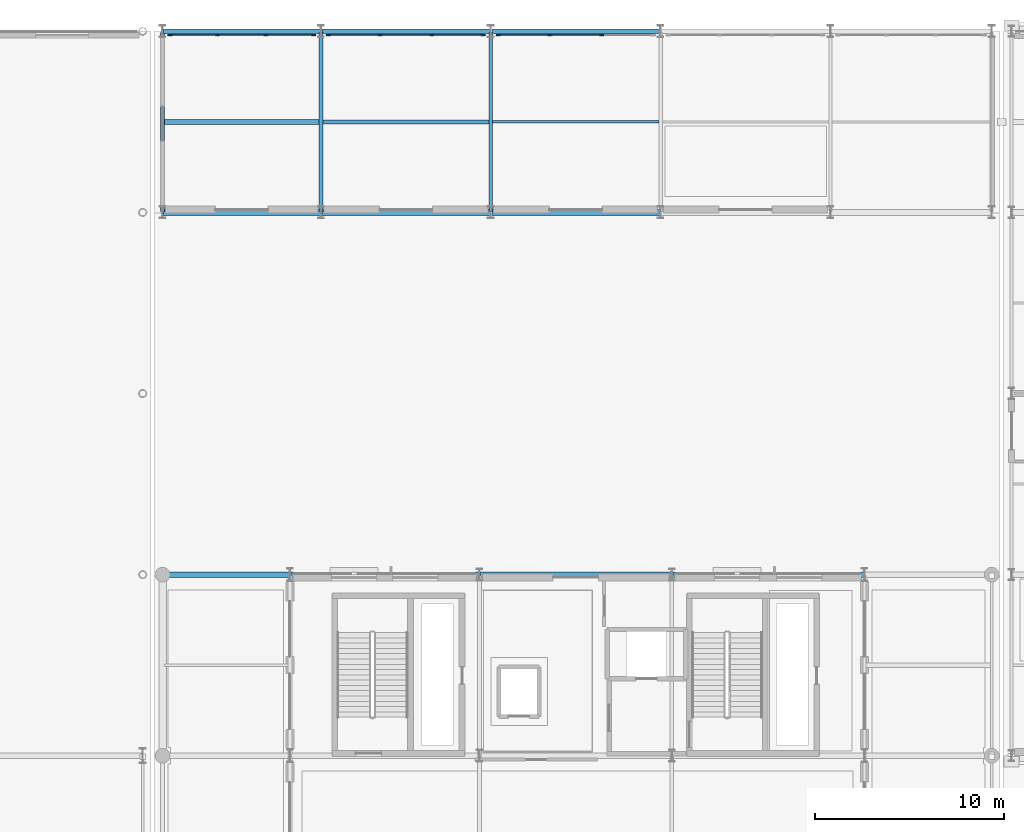
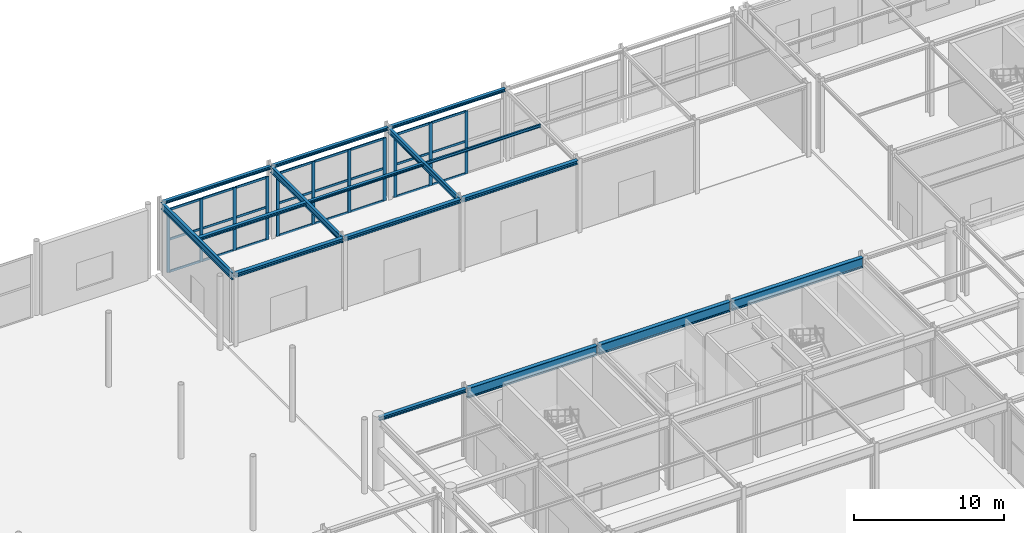
# One storey, part 43 of 113: 35 members, 16 beams, 3 elements without a shape of their own.
"""IFC4 building model written with IfcOpenShell, lengths in metres."""

from ifc_helpers import new_model, si_unit, direction, frame, origin, origin_2d, place, context, subcontext, project, spatial, rectangle, i_section, extrude, material, layer, layer_set, material_profile, profile_set, type_object, element, aggregate, save


model = new_model("IFC4")

# Units and contexts
model_context = context("Model", 3, precision=1e-05, world=origin(), true_north=direction((0.0, 1.0)))
body_context = subcontext(model_context, "Body", "Model", "MODEL_VIEW")
ifc_project = project(units=[si_unit("LENGTHUNIT", "METRE"), si_unit("AREAUNIT", "SQUARE_METRE"), si_unit("VOLUMEUNIT", "CUBIC_METRE"), si_unit("PLANEANGLEUNIT", "RADIAN"), si_unit("MASSUNIT", "GRAM", prefix="KILO")], contexts=[model_context])

# Site, building, storey
site_placement = place(None, origin())
site = spatial("IfcSite", under=ifc_project, at=site_placement, CompositionType="ELEMENT")
building_placement = place(site_placement, origin())
building = spatial("IfcBuilding", under=site, at=building_placement, Name="Myrtia Square Station", CompositionType="ELEMENT")
storey_placement = place(building_placement, origin())
storey = spatial("IfcBuildingStorey", under=building, at=storey_placement, Name="L00", CompositionType="ELEMENT", Elevation=0.0)

# Beams
ifc_material_1 = material(Name="Steel S355", Category="steel")
ifc_material_profile_1 = material_profile(ifc_material_1, i_section(OverallWidth=0.300048828125, OverallDepth=0.300048828125, WebThickness=0.010986328125, FlangeThickness=0.01904296875, FilletRadius=0.027099609375, at=origin_2d()), Name="HEB 300")
ifc_profile_set_1 = profile_set([ifc_material_profile_1], Name="Steel S355")
beam_type_1 = type_object("IfcBeamType", Name="BM-HEB300", PredefinedType="BEAM", material=ifc_profile_set_1)
beam_1_placement = place(storey_placement, frame((72.64990234375, 115.199951171875, 5.60498046875), z_axis=(1.0, 0.0, 0.0), x_axis=(0.0, 1.0, 0.0)))
element("IfcBeam", 1, at=beam_1_placement, inside=storey, type_object=beam_type_1, Name="Structural girder BMX-L00-0406", PredefinedType="BEAM", context=body_context, shape_type="SweptSolid", body=[
    extrude(i_section(OverallWidth=0.300048828125, OverallDepth=0.300048828125, WebThickness=0.010986328125, FlangeThickness=0.01904296875, FilletRadius=0.027099609375, at=origin_2d()), origin(), (0.0, 0.0, 1.0), 8.300048828125),
])
for number, where, z_axis, x_axis, name in (
    (2, (81.050048828125, 115.199951171875, 5.60498046875), (1.0, 0.0, 0.0), (0.0, 1.0, 0.0), "Structural girder BMX-L00-0407"),
    (3, (90.050048828125, 115.199951171875, 5.60498046875), (1.0, 0.0, 0.0), (0.0, 1.0, 0.0), "Structural girder BMX-L00-0408"),
):
    element("IfcBeam", number, at=place(storey_placement, frame(where, z_axis=z_axis, x_axis=x_axis)), inside=storey, type_object=beam_type_1, Name=name, PredefinedType="BEAM", context=body_context, shape_type="SweptSolid", body=[
        extrude(i_section(OverallWidth=0.300048828125, OverallDepth=0.300048828125, WebThickness=0.010986328125, FlangeThickness=0.01904296875, FilletRadius=0.027099609375, at=origin_2d()), origin(), (0.0, 0.0, 1.0), 8.89990234375),
    ])
ifc_material_profile_2 = material_profile(ifc_material_1, i_section(OverallWidth=0.18994140625, OverallDepth=0.449951171875, WebThickness=0.009521484375, FlangeThickness=0.0146484375, FilletRadius=0.02099609375, at=origin_2d()), Name="IPE 450")
ifc_profile_set_2 = profile_set([ifc_material_profile_2], Name="Steel S355")
beam_type_2 = type_object("IfcBeamType", Name="BM-IPE450", PredefinedType="BEAM", material=ifc_profile_set_2)
beam_2_placement = place(storey_placement, frame((90.0, 115.25, 5.530029296875), z_axis=(0.0, 1.0, 0.0), x_axis=(-1.0, 0.0, 0.0)))
element("IfcBeam", 4, at=beam_2_placement, inside=storey, type_object=beam_type_2, Name="Structural girder BMY-L00-0421", PredefinedType="BEAM", context=body_context, shape_type="SweptSolid", body=[
    extrude(i_section(OverallWidth=0.18994140625, OverallDepth=0.449951171875, WebThickness=0.009521484375, FlangeThickness=0.0146484375, FilletRadius=0.02099609375, at=origin_2d()), origin(), (0.0, 0.0, 1.0), 9.5),
])
ifc_material_profile_3 = material_profile(ifc_material_1, i_section(OverallWidth=0.199951171875, OverallDepth=0.5, WebThickness=0.01025390625, FlangeThickness=0.01611328125, FilletRadius=0.02099609375, at=origin_2d()), Name="IPE 500")
ifc_profile_set_3 = profile_set([ifc_material_profile_3], Name="Steel S355")
beam_type_3 = type_object("IfcBeamType", Name="BM-IPE500", PredefinedType="BEAM", material=ifc_profile_set_3)
beam_3_placement = place(storey_placement, frame((81.0, 115.25, 5.5048828125), z_axis=(0.0, 1.0, 0.0), x_axis=(-1.0, 0.0, 0.0)))
element("IfcBeam", 5, at=beam_3_placement, inside=storey, type_object=beam_type_3, Name="Structural girder BMY-L00-0420", PredefinedType="BEAM", context=body_context, shape_type="SweptSolid", body=[
    extrude(i_section(OverallWidth=0.199951171875, OverallDepth=0.5, WebThickness=0.01025390625, FlangeThickness=0.01611328125, FilletRadius=0.02099609375, at=origin_2d()), origin(), (0.0, 0.0, 1.0), 9.5),
])
ifc_material_profile_4 = material_profile(ifc_material_1, i_section(OverallWidth=0.2099609375, OverallDepth=0.550048828125, WebThickness=0.010986328125, FlangeThickness=0.01708984375, FilletRadius=0.02392578125, at=origin_2d()), Name="IPE 550")
ifc_profile_set_4 = profile_set([ifc_material_profile_4], Name="Steel S355")
beam_type_4 = type_object("IfcBeamType", Name="BM-IPE550", PredefinedType="BEAM", material=ifc_profile_set_4)
beam_4_placement = place(storey_placement, frame((72.60009765625, 115.25, 5.47998046875), z_axis=(0.0, 1.0, 0.0), x_axis=(-1.0, 0.0, 0.0)))
element("IfcBeam", 6, at=beam_4_placement, inside=storey, type_object=beam_type_4, Name="Structural girder BMY-L00-0419", PredefinedType="BEAM", context=body_context, shape_type="SweptSolid", body=[
    extrude(i_section(OverallWidth=0.2099609375, OverallDepth=0.550048828125, WebThickness=0.010986328125, FlangeThickness=0.01708984375, FilletRadius=0.02392578125, at=origin_2d()), origin(), (0.0, 0.0, 1.0), 9.5),
])

# Curtain wall, members
ifc_material_2 = material(Name="Dark bronze anodised aluminium", Category="aluminium")
ifc_layer_1 = layer(ifc_material_2, 0.159912109375, Name="Dark bronze anodised aluminium")
ifc_layer_set_1 = layer_set([ifc_layer_1], Name="Dark bronze anodised aluminium")
curtain_wall_type_1 = type_object("IfcCurtainWallType", Name="CW-TYPE-30-766x510", PredefinedType="USERDEFINED", material=ifc_layer_set_1)
curtain_wall_1_placement = place(storey_placement, origin())
curtain_wall_1 = element("IfcCurtainWall", 7, at=curtain_wall_1_placement, inside=storey, type_object=curtain_wall_type_1, Name="Concourse curtain wall CW-L00-103", ObjectType="CONCOURSE CURTAIN WALL", PredefinedType="USERDEFINED")
ifc_material_profile_5 = material_profile(ifc_material_2, rectangle(XDim=0.074951171875, YDim=0.239990234375, at=origin_2d()), Name="ALU-M 75x240")
ifc_profile_set_5 = profile_set([ifc_material_profile_5], Name="Dark bronze anodised aluminium")
member_type_1 = type_object("IfcMemberType", Name="CWM-75x240", PredefinedType="MULLION", material=ifc_profile_set_5)
member_1_placement = place(storey_placement, frame((73.007568359375, 124.60009765625, 0.0), z_axis=(0.0, 0.0, 1.0), x_axis=(0.0, 1.0, 0.0)))
member_1 = element("IfcMember", 8, at=member_1_placement, type_object=member_type_1, Name="CW-103 mullion 1", PredefinedType="MULLION", context=body_context, shape_type="SweptSolid", body=[
    extrude(rectangle(XDim=0.074951171875, YDim=0.239990234375, at=origin_2d()), origin(), (0.0, 0.0, 1.0), 5.10009765625),
])
member_2_placement = place(storey_placement, frame((75.5234375, 124.60009765625, 0.0), z_axis=(0.0, 0.0, 1.0), x_axis=(0.0, 1.0, 0.0)))
member_2 = element("IfcMember", 9, at=member_2_placement, type_object=member_type_1, Name="CW-103 mullion 2", PredefinedType="MULLION", context=body_context, shape_type="SweptSolid", body=[
    extrude(rectangle(XDim=0.074951171875, YDim=0.239990234375, at=origin_2d()), origin(), (0.0, 0.0, 1.0), 5.10009765625),
])
member_3_placement = place(storey_placement, frame((78.07666015625, 124.60009765625, 0.0), z_axis=(0.0, 0.0, 1.0), x_axis=(0.0, 1.0, 0.0)))
member_3 = element("IfcMember", 10, at=member_3_placement, type_object=member_type_1, Name="CW-103 mullion 3", PredefinedType="MULLION", context=body_context, shape_type="SweptSolid", body=[
    extrude(rectangle(XDim=0.074951171875, YDim=0.239990234375, at=origin_2d()), origin(), (0.0, 0.0, 1.0), 5.10009765625),
])
member_4_placement = place(storey_placement, frame((80.592529296875, 124.60009765625, 0.0), z_axis=(0.0, 0.0, 1.0), x_axis=(0.0, 1.0, 0.0)))
member_4 = element("IfcMember", 11, at=member_4_placement, type_object=member_type_1, Name="CW-103 mullion 4", PredefinedType="MULLION", context=body_context, shape_type="SweptSolid", body=[
    extrude(rectangle(XDim=0.074951171875, YDim=0.239990234375, at=origin_2d()), origin(), (0.0, 0.0, 1.0), 5.10009765625),
])

ifc_layer_2 = layer(ifc_material_2, 0.159912109375, Name="Dark bronze anodised aluminium")
ifc_layer_set_2 = layer_set([ifc_layer_2], Name="Dark bronze anodised aluminium")
curtain_wall_type_2 = type_object("IfcCurtainWallType", Name="CW-TYPE-33-826x510", PredefinedType="USERDEFINED", material=ifc_layer_set_2)
curtain_wall_2_placement = place(storey_placement, origin())
curtain_wall_2 = element("IfcCurtainWall", 12, at=curtain_wall_2_placement, inside=storey, type_object=curtain_wall_type_2, Name="Concourse curtain wall CW-L00-106", ObjectType="CONCOURSE CURTAIN WALL", PredefinedType="USERDEFINED")
member_5_placement = place(storey_placement, frame((81.407470703125, 124.60009765625, 0.0), z_axis=(0.0, 0.0, 1.0), x_axis=(0.0, 1.0, 0.0)))
member_5 = element("IfcMember", 13, at=member_5_placement, type_object=member_type_1, Name="CW-106 mullion 1", PredefinedType="MULLION", context=body_context, shape_type="SweptSolid", body=[
    extrude(rectangle(XDim=0.074951171875, YDim=0.239990234375, at=origin_2d()), origin(), (0.0, 0.0, 1.0), 5.10009765625),
])
member_6_placement = place(storey_placement, frame((84.123291015625, 124.60009765625, 0.0), z_axis=(0.0, 0.0, 1.0), x_axis=(0.0, 1.0, 0.0)))
member_6 = element("IfcMember", 14, at=member_6_placement, type_object=member_type_1, Name="CW-106 mullion 2", PredefinedType="MULLION", context=body_context, shape_type="SweptSolid", body=[
    extrude(rectangle(XDim=0.074951171875, YDim=0.239990234375, at=origin_2d()), origin(), (0.0, 0.0, 1.0), 5.10009765625),
])
member_7_placement = place(storey_placement, frame((86.876708984375, 124.60009765625, 0.0), z_axis=(0.0, 0.0, 1.0), x_axis=(0.0, 1.0, 0.0)))
member_7 = element("IfcMember", 15, at=member_7_placement, type_object=member_type_1, Name="CW-106 mullion 3", PredefinedType="MULLION", context=body_context, shape_type="SweptSolid", body=[
    extrude(rectangle(XDim=0.074951171875, YDim=0.239990234375, at=origin_2d()), origin(), (0.0, 0.0, 1.0), 5.10009765625),
])
member_8_placement = place(storey_placement, frame((89.592529296875, 124.60009765625, 0.0), z_axis=(0.0, 0.0, 1.0), x_axis=(0.0, 1.0, 0.0)))
member_8 = element("IfcMember", 16, at=member_8_placement, type_object=member_type_1, Name="CW-106 mullion 4", PredefinedType="MULLION", context=body_context, shape_type="SweptSolid", body=[
    extrude(rectangle(XDim=0.074951171875, YDim=0.239990234375, at=origin_2d()), origin(), (0.0, 0.0, 1.0), 5.10009765625),
])

curtain_wall_3_placement = place(storey_placement, origin())
curtain_wall_3 = element("IfcCurtainWall", 17, at=curtain_wall_3_placement, inside=storey, type_object=curtain_wall_type_2, Name="Concourse curtain wall CW-L00-108", ObjectType="CONCOURSE CURTAIN WALL", PredefinedType="USERDEFINED")
member_9_placement = place(storey_placement, frame((90.407470703125, 124.60009765625, 0.0), z_axis=(0.0, 0.0, 1.0), x_axis=(0.0, 1.0, 0.0)))
member_9 = element("IfcMember", 18, at=member_9_placement, type_object=member_type_1, Name="CW-108 mullion 1", PredefinedType="MULLION", context=body_context, shape_type="SweptSolid", body=[
    extrude(rectangle(XDim=0.074951171875, YDim=0.239990234375, at=origin_2d()), origin(), (0.0, 0.0, 1.0), 5.10009765625),
])
member_10_placement = place(storey_placement, frame((93.123291015625, 124.60009765625, 0.0), z_axis=(0.0, 0.0, 1.0), x_axis=(0.0, 1.0, 0.0)))
member_10 = element("IfcMember", 19, at=member_10_placement, type_object=member_type_1, Name="CW-108 mullion 2", PredefinedType="MULLION", context=body_context, shape_type="SweptSolid", body=[
    extrude(rectangle(XDim=0.074951171875, YDim=0.239990234375, at=origin_2d()), origin(), (0.0, 0.0, 1.0), 5.10009765625),
])
member_11_placement = place(storey_placement, frame((95.876708984375, 124.60009765625, 0.0), z_axis=(0.0, 0.0, 1.0), x_axis=(0.0, 1.0, 0.0)))
member_11 = element("IfcMember", 20, at=member_11_placement, type_object=member_type_1, Name="CW-108 mullion 3", PredefinedType="MULLION", context=body_context, shape_type="SweptSolid", body=[
    extrude(rectangle(XDim=0.074951171875, YDim=0.239990234375, at=origin_2d()), origin(), (0.0, 0.0, 1.0), 5.10009765625),
])

# Member
ifc_material_profile_6 = material_profile(ifc_material_2, rectangle(XDim=0.074951171875, YDim=0.179931640625, at=origin_2d()), Name="ALU-T 75x180")
ifc_profile_set_6 = profile_set([ifc_material_profile_6], Name="Dark bronze anodised aluminium")
member_type_2 = type_object("IfcMemberType", Name="CWT-75x180", PredefinedType="USERDEFINED", material=ifc_profile_set_6)
member_12_placement = place(storey_placement, frame((73.044921875, 124.60009765625, 0.03759765625), z_axis=(1.0, 0.0, 0.0), x_axis=(0.0, 1.0, 0.0)))
member_12 = element("IfcMember", 21, at=member_12_placement, type_object=member_type_2, Name="CW-103 transom 1.1", ObjectType="TRANSOM", PredefinedType="USERDEFINED", context=body_context, shape_type="SweptSolid", body=[
    extrude(rectangle(XDim=0.074951171875, YDim=0.179931640625, at=origin_2d()), origin(), (0.0, 0.0, 1.0), 2.44091796875),
])

member_13_placement = place(storey_placement, frame((73.044921875, 124.60009765625, 2.652099609375), z_axis=(1.0, 0.0, 0.0), x_axis=(0.0, 1.0, 0.0)))
member_13 = element("IfcMember", 22, at=member_13_placement, type_object=member_type_2, Name="CW-103 transom 1.2", ObjectType="TRANSOM", PredefinedType="USERDEFINED", context=body_context, shape_type="SweptSolid", body=[
    extrude(rectangle(XDim=0.074951171875, YDim=0.179931640625, at=origin_2d()), origin(), (0.0, 0.0, 1.0), 2.44091796875),
])

member_14_placement = place(storey_placement, frame((73.044921875, 124.60009765625, 5.0625), z_axis=(1.0, 0.0, 0.0), x_axis=(0.0, 1.0, 0.0)))
member_14 = element("IfcMember", 23, at=member_14_placement, type_object=member_type_2, Name="CW-103 transom 1.3", ObjectType="TRANSOM", PredefinedType="USERDEFINED", context=body_context, shape_type="SweptSolid", body=[
    extrude(rectangle(XDim=0.074951171875, YDim=0.179931640625, at=origin_2d()), origin(), (0.0, 0.0, 1.0), 2.44091796875),
])

member_15_placement = place(storey_placement, frame((75.560791015625, 124.60009765625, 0.03759765625), z_axis=(1.0, 0.0, 0.0), x_axis=(0.0, 1.0, 0.0)))
member_15 = element("IfcMember", 24, at=member_15_placement, type_object=member_type_2, Name="CW-103 transom 2.1", ObjectType="TRANSOM", PredefinedType="USERDEFINED", context=body_context, shape_type="SweptSolid", body=[
    extrude(rectangle(XDim=0.074951171875, YDim=0.179931640625, at=origin_2d()), origin(), (0.0, 0.0, 1.0), 2.478271484375),
])

member_16_placement = place(storey_placement, frame((75.560791015625, 124.60009765625, 2.652099609375), z_axis=(1.0, 0.0, 0.0), x_axis=(0.0, 1.0, 0.0)))
member_16 = element("IfcMember", 25, at=member_16_placement, type_object=member_type_2, Name="CW-103 transom 2.2", ObjectType="TRANSOM", PredefinedType="USERDEFINED", context=body_context, shape_type="SweptSolid", body=[
    extrude(rectangle(XDim=0.074951171875, YDim=0.179931640625, at=origin_2d()), origin(), (0.0, 0.0, 1.0), 2.478271484375),
])

member_17_placement = place(storey_placement, frame((75.560791015625, 124.60009765625, 5.0625), z_axis=(1.0, 0.0, 0.0), x_axis=(0.0, 1.0, 0.0)))
member_17 = element("IfcMember", 26, at=member_17_placement, type_object=member_type_2, Name="CW-103 transom 2.3", ObjectType="TRANSOM", PredefinedType="USERDEFINED", context=body_context, shape_type="SweptSolid", body=[
    extrude(rectangle(XDim=0.074951171875, YDim=0.179931640625, at=origin_2d()), origin(), (0.0, 0.0, 1.0), 2.478271484375),
])

member_18_placement = place(storey_placement, frame((78.1142578125, 124.60009765625, 0.03759765625), z_axis=(1.0, 0.0, 0.0), x_axis=(0.0, 1.0, 0.0)))
member_18 = element("IfcMember", 27, at=member_18_placement, type_object=member_type_2, Name="CW-103 transom 3.1", ObjectType="TRANSOM", PredefinedType="USERDEFINED", context=body_context, shape_type="SweptSolid", body=[
    extrude(rectangle(XDim=0.074951171875, YDim=0.179931640625, at=origin_2d()), origin(), (0.0, 0.0, 1.0), 2.440673828125),
])

member_19_placement = place(storey_placement, frame((78.1142578125, 124.60009765625, 2.652099609375), z_axis=(1.0, 0.0, 0.0), x_axis=(0.0, 1.0, 0.0)))
member_19 = element("IfcMember", 28, at=member_19_placement, type_object=member_type_2, Name="CW-103 transom 3.2", ObjectType="TRANSOM", PredefinedType="USERDEFINED", context=body_context, shape_type="SweptSolid", body=[
    extrude(rectangle(XDim=0.074951171875, YDim=0.179931640625, at=origin_2d()), origin(), (0.0, 0.0, 1.0), 2.440673828125),
])

member_20_placement = place(storey_placement, frame((78.1142578125, 124.60009765625, 5.0625), z_axis=(1.0, 0.0, 0.0), x_axis=(0.0, 1.0, 0.0)))
member_20 = element("IfcMember", 29, at=member_20_placement, type_object=member_type_2, Name="CW-103 transom 3.3", ObjectType="TRANSOM", PredefinedType="USERDEFINED", context=body_context, shape_type="SweptSolid", body=[
    extrude(rectangle(XDim=0.074951171875, YDim=0.179931640625, at=origin_2d()), origin(), (0.0, 0.0, 1.0), 2.440673828125),
])

aggregate(curtain_wall_1, [member_1, member_2, member_3, member_4, member_12, member_13, member_14, member_15, member_16, member_17, member_18, member_19, member_20])

member_21_placement = place(storey_placement, frame((81.445068359375, 124.60009765625, 0.03759765625), z_axis=(1.0, 0.0, 0.0), x_axis=(0.0, 1.0, 0.0)))
member_21 = element("IfcMember", 30, at=member_21_placement, type_object=member_type_2, Name="CW-106 transom 1.1", ObjectType="TRANSOM", PredefinedType="USERDEFINED", context=body_context, shape_type="SweptSolid", body=[
    extrude(rectangle(XDim=0.074951171875, YDim=0.179931640625, at=origin_2d()), origin(), (0.0, 0.0, 1.0), 2.640869140625),
])

member_22_placement = place(storey_placement, frame((81.445068359375, 124.60009765625, 2.652099609375), z_axis=(1.0, 0.0, 0.0), x_axis=(0.0, 1.0, 0.0)))
member_22 = element("IfcMember", 31, at=member_22_placement, type_object=member_type_2, Name="CW-106 transom 1.2", ObjectType="TRANSOM", PredefinedType="USERDEFINED", context=body_context, shape_type="SweptSolid", body=[
    extrude(rectangle(XDim=0.074951171875, YDim=0.179931640625, at=origin_2d()), origin(), (0.0, 0.0, 1.0), 2.640869140625),
])

member_23_placement = place(storey_placement, frame((81.445068359375, 124.60009765625, 5.0625), z_axis=(1.0, 0.0, 0.0), x_axis=(0.0, 1.0, 0.0)))
member_23 = element("IfcMember", 32, at=member_23_placement, type_object=member_type_2, Name="CW-106 transom 1.3", ObjectType="TRANSOM", PredefinedType="USERDEFINED", context=body_context, shape_type="SweptSolid", body=[
    extrude(rectangle(XDim=0.074951171875, YDim=0.179931640625, at=origin_2d()), origin(), (0.0, 0.0, 1.0), 2.640869140625),
])

member_24_placement = place(storey_placement, frame((84.160888671875, 124.60009765625, 0.03759765625), z_axis=(1.0, 0.0, 0.0), x_axis=(0.0, 1.0, 0.0)))
member_24 = element("IfcMember", 33, at=member_24_placement, type_object=member_type_2, Name="CW-106 transom 2.1", ObjectType="TRANSOM", PredefinedType="USERDEFINED", context=body_context, shape_type="SweptSolid", body=[
    extrude(rectangle(XDim=0.074951171875, YDim=0.179931640625, at=origin_2d()), origin(), (0.0, 0.0, 1.0), 2.67822265625),
])

member_25_placement = place(storey_placement, frame((84.160888671875, 124.60009765625, 2.652099609375), z_axis=(1.0, 0.0, 0.0), x_axis=(0.0, 1.0, 0.0)))
member_25 = element("IfcMember", 34, at=member_25_placement, type_object=member_type_2, Name="CW-106 transom 2.2", ObjectType="TRANSOM", PredefinedType="USERDEFINED", context=body_context, shape_type="SweptSolid", body=[
    extrude(rectangle(XDim=0.074951171875, YDim=0.179931640625, at=origin_2d()), origin(), (0.0, 0.0, 1.0), 2.67822265625),
])

member_26_placement = place(storey_placement, frame((84.160888671875, 124.60009765625, 5.0625), z_axis=(1.0, 0.0, 0.0), x_axis=(0.0, 1.0, 0.0)))
member_26 = element("IfcMember", 35, at=member_26_placement, type_object=member_type_2, Name="CW-106 transom 2.3", ObjectType="TRANSOM", PredefinedType="USERDEFINED", context=body_context, shape_type="SweptSolid", body=[
    extrude(rectangle(XDim=0.074951171875, YDim=0.179931640625, at=origin_2d()), origin(), (0.0, 0.0, 1.0), 2.67822265625),
])

member_27_placement = place(storey_placement, frame((86.9140625, 124.60009765625, 0.03759765625), z_axis=(1.0, 0.0, 0.0), x_axis=(0.0, 1.0, 0.0)))
member_27 = element("IfcMember", 36, at=member_27_placement, type_object=member_type_2, Name="CW-106 transom 3.1", ObjectType="TRANSOM", PredefinedType="USERDEFINED", context=body_context, shape_type="SweptSolid", body=[
    extrude(rectangle(XDim=0.074951171875, YDim=0.179931640625, at=origin_2d()), origin(), (0.0, 0.0, 1.0), 2.640869140625),
])

member_28_placement = place(storey_placement, frame((86.9140625, 124.60009765625, 2.652099609375), z_axis=(1.0, 0.0, 0.0), x_axis=(0.0, 1.0, 0.0)))
member_28 = element("IfcMember", 37, at=member_28_placement, type_object=member_type_2, Name="CW-106 transom 3.2", ObjectType="TRANSOM", PredefinedType="USERDEFINED", context=body_context, shape_type="SweptSolid", body=[
    extrude(rectangle(XDim=0.074951171875, YDim=0.179931640625, at=origin_2d()), origin(), (0.0, 0.0, 1.0), 2.640869140625),
])

member_29_placement = place(storey_placement, frame((86.9140625, 124.60009765625, 5.0625), z_axis=(1.0, 0.0, 0.0), x_axis=(0.0, 1.0, 0.0)))
member_29 = element("IfcMember", 38, at=member_29_placement, type_object=member_type_2, Name="CW-106 transom 3.3", ObjectType="TRANSOM", PredefinedType="USERDEFINED", context=body_context, shape_type="SweptSolid", body=[
    extrude(rectangle(XDim=0.074951171875, YDim=0.179931640625, at=origin_2d()), origin(), (0.0, 0.0, 1.0), 2.640869140625),
])

aggregate(curtain_wall_2, [member_5, member_6, member_7, member_8, member_21, member_22, member_23, member_24, member_25, member_26, member_27, member_28, member_29])

member_30_placement = place(storey_placement, frame((90.445068359375, 124.60009765625, 0.03759765625), z_axis=(1.0, 0.0, 0.0), x_axis=(0.0, 1.0, 0.0)))
member_30 = element("IfcMember", 39, at=member_30_placement, type_object=member_type_2, Name="CW-108 transom 1.1", ObjectType="TRANSOM", PredefinedType="USERDEFINED", context=body_context, shape_type="SweptSolid", body=[
    extrude(rectangle(XDim=0.074951171875, YDim=0.179931640625, at=origin_2d()), origin(), (0.0, 0.0, 1.0), 2.640869140625),
])

member_31_placement = place(storey_placement, frame((90.445068359375, 124.60009765625, 2.652099609375), z_axis=(1.0, 0.0, 0.0), x_axis=(0.0, 1.0, 0.0)))
member_31 = element("IfcMember", 40, at=member_31_placement, type_object=member_type_2, Name="CW-108 transom 1.2", ObjectType="TRANSOM", PredefinedType="USERDEFINED", context=body_context, shape_type="SweptSolid", body=[
    extrude(rectangle(XDim=0.074951171875, YDim=0.179931640625, at=origin_2d()), origin(), (0.0, 0.0, 1.0), 2.640869140625),
])

member_32_placement = place(storey_placement, frame((90.445068359375, 124.60009765625, 5.0625), z_axis=(1.0, 0.0, 0.0), x_axis=(0.0, 1.0, 0.0)))
member_32 = element("IfcMember", 41, at=member_32_placement, type_object=member_type_2, Name="CW-108 transom 1.3", ObjectType="TRANSOM", PredefinedType="USERDEFINED", context=body_context, shape_type="SweptSolid", body=[
    extrude(rectangle(XDim=0.074951171875, YDim=0.179931640625, at=origin_2d()), origin(), (0.0, 0.0, 1.0), 2.640869140625),
])

member_33_placement = place(storey_placement, frame((93.160888671875, 124.60009765625, 0.03759765625), z_axis=(1.0, 0.0, 0.0), x_axis=(0.0, 1.0, 0.0)))
member_33 = element("IfcMember", 42, at=member_33_placement, type_object=member_type_2, Name="CW-108 transom 2.1", ObjectType="TRANSOM", PredefinedType="USERDEFINED", context=body_context, shape_type="SweptSolid", body=[
    extrude(rectangle(XDim=0.074951171875, YDim=0.179931640625, at=origin_2d()), origin(), (0.0, 0.0, 1.0), 2.67822265625),
])

member_34_placement = place(storey_placement, frame((93.160888671875, 124.60009765625, 2.652099609375), z_axis=(1.0, 0.0, 0.0), x_axis=(0.0, 1.0, 0.0)))
member_34 = element("IfcMember", 43, at=member_34_placement, type_object=member_type_2, Name="CW-108 transom 2.2", ObjectType="TRANSOM", PredefinedType="USERDEFINED", context=body_context, shape_type="SweptSolid", body=[
    extrude(rectangle(XDim=0.074951171875, YDim=0.179931640625, at=origin_2d()), origin(), (0.0, 0.0, 1.0), 2.67822265625),
])

member_35_placement = place(storey_placement, frame((93.160888671875, 124.60009765625, 5.0625), z_axis=(1.0, 0.0, 0.0), x_axis=(0.0, 1.0, 0.0)))
member_35 = element("IfcMember", 44, at=member_35_placement, type_object=member_type_2, Name="CW-108 transom 2.3", ObjectType="TRANSOM", PredefinedType="USERDEFINED", context=body_context, shape_type="SweptSolid", body=[
    extrude(rectangle(XDim=0.074951171875, YDim=0.179931640625, at=origin_2d()), origin(), (0.0, 0.0, 1.0), 2.67822265625),
])

aggregate(curtain_wall_3, [member_9, member_10, member_11, member_30, member_31, member_32, member_33, member_34, member_35])

# Beams
ifc_material_profile_7 = material_profile(ifc_material_1, i_section(OverallWidth=0.219970703125, OverallDepth=0.2099609375, WebThickness=0.007080078125, FlangeThickness=0.010986328125, FilletRadius=0.01806640625, at=origin_2d()), Name="HEA 220")
ifc_profile_set_7 = profile_set([ifc_material_profile_7], Name="Steel S355")
beam_type_5 = type_object("IfcBeamType", Name="JST-HEA220", PredefinedType="JOIST", material=ifc_profile_set_7)
beam_5_placement = place(storey_placement, frame((81.10009765625, 120.0, 5.64990234375), z_axis=(1.0, 0.0, 0.0), x_axis=(0.0, 1.0, 0.0)))
element("IfcBeam", 45, at=beam_5_placement, inside=storey, type_object=beam_type_5, Name="Composite floor joist L00-0065", PredefinedType="JOIST", context=body_context, shape_type="SweptSolid", body=[
    extrude(i_section(OverallWidth=0.219970703125, OverallDepth=0.2099609375, WebThickness=0.007080078125, FlangeThickness=0.010986328125, FilletRadius=0.01806640625, at=origin_2d()), origin(), (0.0, 0.0, 1.0), 8.804931640625),
])
ifc_material_profile_8 = material_profile(ifc_material_1, i_section(OverallWidth=0.260009765625, OverallDepth=0.25, WebThickness=0.007568359375, FlangeThickness=0.012451171875, FilletRadius=0.02392578125, at=origin_2d()), Name="HEA 260")
ifc_profile_set_8 = profile_set([ifc_material_profile_8], Name="Steel S355")
beam_type_6 = type_object("IfcBeamType", Name="JST-HEA260", PredefinedType="JOIST", material=ifc_profile_set_8)
beam_6_placement = place(storey_placement, frame((72.705078125, 120.0, 5.6298828125), z_axis=(1.0, 0.0, 0.0), x_axis=(0.0, 1.0, 0.0)))
element("IfcBeam", 46, at=beam_6_placement, inside=storey, type_object=beam_type_6, Name="Composite floor joist L00-0064", PredefinedType="JOIST", context=body_context, shape_type="SweptSolid", body=[
    extrude(i_section(OverallWidth=0.260009765625, OverallDepth=0.25, WebThickness=0.007568359375, FlangeThickness=0.012451171875, FilletRadius=0.02392578125, at=origin_2d()), origin(), (0.0, 0.0, 1.0), 8.19482421875),
])
ifc_material_profile_9 = material_profile(ifc_material_1, i_section(OverallWidth=0.1201171875, OverallDepth=0.239990234375, WebThickness=0.006103515625, FlangeThickness=0.009765625, FilletRadius=0.014892578125, at=origin_2d()), Name="IPE 240")
ifc_profile_set_9 = profile_set([ifc_material_profile_9], Name="Steel S355")
beam_type_7 = type_object("IfcBeamType", Name="JST-IPE240", PredefinedType="JOIST", material=ifc_profile_set_9)
beam_7_placement = place(storey_placement, frame((90.094970703125, 120.0, 5.635009765625), z_axis=(1.0, 0.0, 0.0), x_axis=(0.0, 1.0, 0.0)))
element("IfcBeam", 47, at=beam_7_placement, inside=storey, type_object=beam_type_7, Name="Composite floor joist L00-0066", PredefinedType="JOIST", context=body_context, shape_type="SweptSolid", body=[
    extrude(i_section(OverallWidth=0.1201171875, OverallDepth=0.239990234375, WebThickness=0.006103515625, FlangeThickness=0.009765625, FilletRadius=0.014892578125, at=origin_2d()), origin(), (0.0, 0.0, 1.0), 8.81494140625),
])
ifc_material_profile_10 = material_profile(ifc_material_1, i_section(OverallWidth=0.239990234375, OverallDepth=0.239990234375, WebThickness=0.010009765625, FlangeThickness=0.01708984375, FilletRadius=0.02099609375, at=origin_2d()), Name="HEB 240")
ifc_profile_set_10 = profile_set([ifc_material_profile_10], Name="Steel S355")
beam_type_8 = type_object("IfcBeamType", Name="SPN-HEB240", PredefinedType="SPANDREL", material=ifc_profile_set_10)
beam_8_placement = place(storey_placement, frame((72.64990234375, 124.800048828125, 5.635009765625), z_axis=(1.0, 0.0, 0.0), x_axis=(0.0, 1.0, 0.0)))
element("IfcBeam", 48, at=beam_8_placement, inside=storey, type_object=beam_type_8, Name="Structural girder SPN-L00-0125", PredefinedType="SPANDREL", context=body_context, shape_type="SweptSolid", body=[
    extrude(i_section(OverallWidth=0.239990234375, OverallDepth=0.239990234375, WebThickness=0.010009765625, FlangeThickness=0.01708984375, FilletRadius=0.02099609375, at=origin_2d()), origin(), (0.0, 0.0, 1.0), 8.300048828125),
])
for number, where, z_axis, x_axis, name in (
    (49, (81.050048828125, 124.800048828125, 5.635009765625), (1.0, 0.0, 0.0), (0.0, 1.0, 0.0), "Structural girder SPN-L00-0126"),
    (50, (90.050048828125, 124.800048828125, 5.635009765625), (1.0, 0.0, 0.0), (0.0, 1.0, 0.0), "Structural girder SPN-L00-0127"),
):
    element("IfcBeam", number, at=place(storey_placement, frame(where, z_axis=z_axis, x_axis=x_axis)), inside=storey, type_object=beam_type_8, Name=name, PredefinedType="SPANDREL", context=body_context, shape_type="SweptSolid", body=[
        extrude(i_section(OverallWidth=0.239990234375, OverallDepth=0.239990234375, WebThickness=0.010009765625, FlangeThickness=0.01708984375, FilletRadius=0.02099609375, at=origin_2d()), origin(), (0.0, 0.0, 1.0), 8.89990234375),
    ])
ifc_material_profile_11 = material_profile(ifc_material_1, i_section(OverallWidth=0.280029296875, OverallDepth=0.280029296875, WebThickness=0.010498046875, FlangeThickness=0.01806640625, FilletRadius=0.02392578125, at=origin_2d()), Name="HEB 280")
ifc_profile_set_11 = profile_set([ifc_material_profile_11], Name="Steel S355")
beam_type_9 = type_object("IfcBeamType", Name="SPN-HEB280", PredefinedType="SPANDREL", material=ifc_profile_set_11)
beam_9_placement = place(storey_placement, frame((72.64990234375, 96.0, 5.60009765625), z_axis=(1.0, 0.0, 0.0), x_axis=(0.0, 1.0, 0.0)))
element("IfcBeam", 51, at=beam_9_placement, inside=storey, type_object=beam_type_9, Name="Structural girder SPN-L00-0078", PredefinedType="SPANDREL", context=body_context, shape_type="SweptSolid", body=[
    extrude(i_section(OverallWidth=0.280029296875, OverallDepth=0.280029296875, WebThickness=0.010498046875, FlangeThickness=0.01806640625, FilletRadius=0.02392578125, at=origin_2d()), origin(), (0.0, 0.0, 1.0), 6.650146484375),
])
ifc_material_profile_12 = material_profile(ifc_material_1, i_section(OverallWidth=0.300048828125, OverallDepth=0.800048828125, WebThickness=0.017578125, FlangeThickness=0.032958984375, FilletRadius=0.030029296875, at=origin_2d()), Name="HEB 800")
ifc_profile_set_12 = profile_set([ifc_material_profile_12], Name="Steel S355")
beam_type_10 = type_object("IfcBeamType", Name="TG-HEB800", PredefinedType="USERDEFINED", material=ifc_profile_set_12)
beam_10_placement = place(storey_placement, frame((79.39990234375, 96.0, 5.340087890625), z_axis=(1.0, 0.0, 0.0), x_axis=(0.0, 1.0, 0.0)))
element("IfcBeam", 52, at=beam_10_placement, inside=storey, type_object=beam_type_10, Name="Structural girder TG-L00-0095", ObjectType="TRANSFER GIRDER", PredefinedType="USERDEFINED", context=body_context, shape_type="SweptSolid", body=[
    extrude(i_section(OverallWidth=0.300048828125, OverallDepth=0.800048828125, WebThickness=0.017578125, FlangeThickness=0.032958984375, FilletRadius=0.030029296875, at=origin_2d()), origin(), (0.0, 0.0, 1.0), 9.9501953125),
])
for number, where, z_axis, x_axis, name in (
    (53, (89.449951171875, 96.0, 5.340087890625), (1.0, 0.0, 0.0), (0.0, 1.0, 0.0), "Structural girder TG-L00-0096"),
    (54, (99.64990234375, 96.0, 5.340087890625), (1.0, 0.0, 0.0), (0.0, 1.0, 0.0), "Structural girder TG-L00-0097"),
):
    element("IfcBeam", number, at=place(storey_placement, frame(where, z_axis=z_axis, x_axis=x_axis)), inside=storey, type_object=beam_type_10, Name=name, ObjectType="TRANSFER GIRDER", PredefinedType="USERDEFINED", context=body_context, shape_type="SweptSolid", body=[
        extrude(i_section(OverallWidth=0.300048828125, OverallDepth=0.800048828125, WebThickness=0.017578125, FlangeThickness=0.032958984375, FilletRadius=0.030029296875, at=origin_2d()), origin(), (0.0, 0.0, 1.0), 10.10009765625),
    ])

save(model, "model.ifc")
